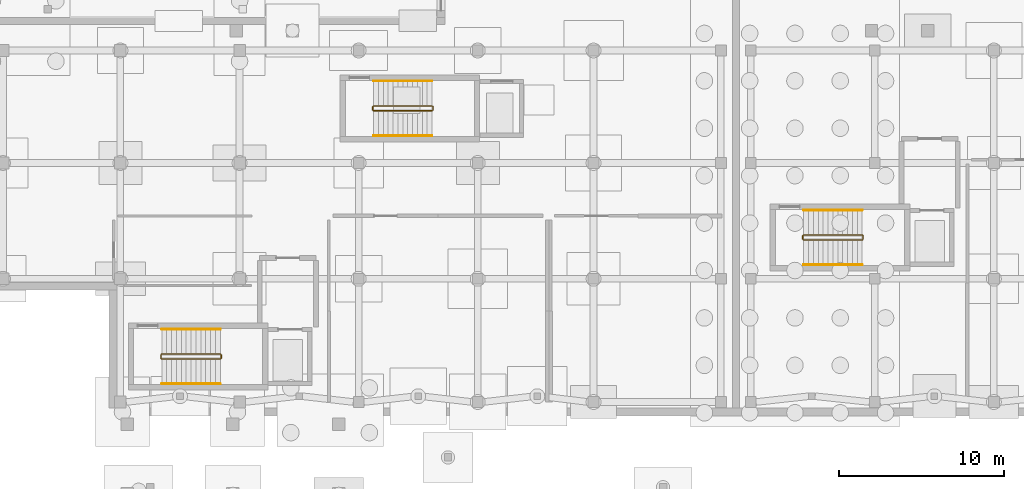
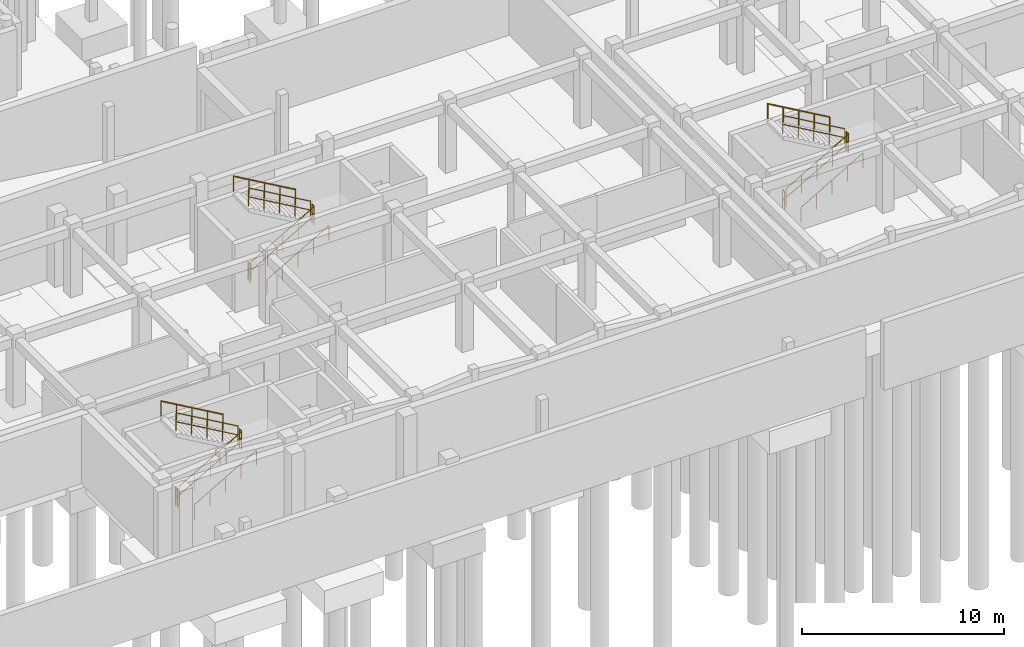
# One storey, part 20 of 22: 18 railings.
"""IFC4 building model written with IfcOpenShell, lengths in metres."""

import ifcopenshell
import ifcopenshell.guid

model = None  # the IFC model being written
_history = None  # IfcOwnerHistory: only IFC2X3 demands one
_inside = {}  # id of a spatial element -> (the spatial element, [elements in it])
_under = {}  # id of a project, library or spatial element -> (it, [spatial elements below it])
_declared = {}  # id of a project -> (the project, [libraries it declares])
_typed = {}  # id of a type object -> (the type object, [elements of that type])
_made_of = {}  # id of a material, layer set ... -> (it, [elements and type objects made of it])


def new_model(schema):
    """Start an empty IFC model of exactly this schema.

    Asked for "IFC4X3", IfcOpenShell would pick the latest addendum, in which some entities
    have other attributes; the version numbers below select the first issue.
    IFC2X3 requires an IfcOwnerHistory on every rooted entity: one is made here for all.
    """
    global model, _history
    if schema == "IFC4X3":
        model = ifcopenshell.file(schema_version=(4, 3, 0, 0))
    else:
        model = ifcopenshell.file(schema=schema)
    _inside.clear()
    _under.clear()
    _declared.clear()
    _typed.clear()
    _made_of.clear()
    _history = None
    if model.schema == "IFC2X3":
        org = make("IfcOrganization", Name="unknown")
        user = make(
            "IfcPersonAndOrganization",
            ThePerson=make("IfcPerson", FamilyName="unknown"),
            TheOrganization=org,
        )
        app = make(
            "IfcApplication",
            ApplicationDeveloper=org,
            Version="unknown",
            ApplicationFullName="unknown",
            ApplicationIdentifier="unknown",
        )
        _history = make(
            "IfcOwnerHistory",
            OwningUser=user,
            OwningApplication=app,
            ChangeAction="ADDED",
            CreationDate=0,
        )
    return model


def make(cls, **values):
    """One entity of the class cls with the attributes given. An attribute that is None is left unset."""
    return model.create_entity(
        cls, **{name: value for name, value in values.items() if value is not None}
    )


def rooted(cls, **values):
    """An entity with a GlobalId (a new one), such as an element, a storey or a relation."""
    return make(cls, GlobalId=ifcopenshell.guid.new(), OwnerHistory=_history, **values)


def si_unit(unit_type, name, prefix=None):
    """IfcSIUnit, for example si_unit("LENGTHUNIT", "METRE", prefix="MILLI")."""
    return make("IfcSIUnit", UnitType=unit_type, Prefix=prefix, Name=name)


def assignment(units):
    """IfcUnitAssignment: the units of a project."""
    return None if units is None else make("IfcUnitAssignment", Units=units)


def point(xyz):
    """IfcCartesianPoint."""
    return None if xyz is None else make("IfcCartesianPoint", Coordinates=xyz)


def direction(xyz):
    """IfcDirection."""
    return None if xyz is None else make("IfcDirection", DirectionRatios=xyz)


def frame(location, z_axis=None, x_axis=None):
    """IfcAxis2Placement3D, a coordinate frame: its origin and axes. An axis left out is left unset."""
    return make(
        "IfcAxis2Placement3D",
        Location=point(location),
        Axis=direction(z_axis),
        RefDirection=direction(x_axis),
    )


def frame_2d(location, x_axis=None):
    """IfcAxis2Placement2D, a coordinate frame in the plane: its origin and x axis."""
    return make(
        "IfcAxis2Placement2D", Location=point(location), RefDirection=direction(x_axis)
    )


def origin():
    """The frame at (0, 0, 0) with its axes left unset."""
    return frame((0.0, 0.0, 0.0))


def origin_2d():
    """The frame at (0, 0) in the plane with its x axis left unset."""
    return frame_2d((0.0, 0.0))


def place(relative_to, where):
    """IfcLocalPlacement: puts the frame where relative to a parent placement (None: the world)."""
    return make(
        "IfcLocalPlacement", PlacementRelTo=relative_to, RelativePlacement=where
    )


def context(
    kind, dimensions, precision=None, world=None, true_north=None, identifier=None
):
    """IfcGeometricRepresentationContext, for example the 3D "Model" context."""
    return make(
        "IfcGeometricRepresentationContext",
        ContextIdentifier=identifier,
        ContextType=kind,
        CoordinateSpaceDimension=dimensions,
        Precision=precision,
        WorldCoordinateSystem=world,
        TrueNorth=true_north,
    )


def subcontext(parent, identifier, kind, view, scale=None):
    """IfcGeometricRepresentationSubContext, for example "Body" below "Model"."""
    return make(
        "IfcGeometricRepresentationSubContext",
        ContextIdentifier=identifier,
        ContextType=kind,
        ParentContext=parent,
        TargetScale=scale,
        TargetView=view,
    )


def project(units=None, contexts=None):
    """IfcProject with its units and contexts."""
    return rooted(
        "IfcProject",
        Name="project",
        RepresentationContexts=contexts,
        UnitsInContext=assignment(units),
    )


def spatial(cls, under=None, at=None, **own):
    """A site, building, storey or space (cls), placed at a placement, below another one or the project."""
    s = rooted(cls, ObjectPlacement=at, **own)
    if under is not None:
        _under.setdefault(under.id(), (under, []))[1].append(s)
    return s


def profile(cls, at=None, kind="AREA", **sizes):
    """A parametric profile (cls). Its sizes go by their IFC names, for example OverallWidth=200.0."""
    return make(cls, ProfileType=kind, Position=at, **sizes)


def circle(**sizes):
    """IfcCircleProfileDef."""
    return profile("IfcCircleProfileDef", **sizes)


def extrude(swept, where, along, depth):
    """IfcExtrudedAreaSolid: the profile swept, set in the frame where, extruded along a direction by depth."""
    return make(
        "IfcExtrudedAreaSolid",
        SweptArea=swept,
        Position=where,
        ExtrudedDirection=direction(along),
        Depth=depth,
    )


def shape(context_of_items, identifier, shape_type, items):
    """IfcShapeRepresentation: the items that make up one representation, for example the "Body"."""
    return make(
        "IfcShapeRepresentation",
        ContextOfItems=context_of_items,
        RepresentationIdentifier=identifier,
        RepresentationType=shape_type,
        Items=items,
    )


def material(Name=None, Category=None):
    """IfcMaterial."""
    return make("IfcMaterial", Name=Name, Category=Category)


def made_of(thing, what):
    """Note that an element or type object is made of a material, layer set ...; save() writes the relation."""
    if what is not None:
        _made_of.setdefault(what.id(), (what, []))[1].append(thing)
    return thing


def type_object(cls, material=None, **own):
    """A type object (cls), such as IfcWallType, which elements share."""
    return made_of(rooted(cls, **own), material)


def element(
    cls,
    number,
    at=None,
    inside=None,
    cuts=None,
    type_object=None,
    material=None,
    context=None,
    identifier="Body",
    shape_type=None,
    held_by="IfcProductDefinitionShape",
    body=None,
    shapes=None,
    **own,
):
    """One element of the class cls, such as IfcWall. Its Tag is "e" and its number.

    at: its placement. inside: the storey or other place that contains it. cuts: it is an
    opening in that element (IfcRelVoidsElement). A single representation is given by context,
    identifier, shape_type and body (its items); several are given by shapes. held_by: the class
    of the entity that holds the representations. save() writes the other relations.
    """
    e = rooted(cls, Tag="e%d" % number, ObjectPlacement=at, **own)
    if body is not None:
        shapes = [shape(context, identifier, shape_type, body)]
    if shapes is not None:
        e.Representation = make(held_by, Representations=shapes)
    if inside is not None:
        _inside.setdefault(inside.id(), (inside, []))[1].append(e)
    if cuts is not None:
        rooted(
            "IfcRelVoidsElement", RelatingBuildingElement=cuts, RelatedOpeningElement=e
        )
    if type_object is not None:
        _typed.setdefault(type_object.id(), (type_object, []))[1].append(e)
    return made_of(e, material)


def aggregate(whole, parts):
    """IfcRelAggregates: a whole, such as a stair, and the parts it consists of."""
    return rooted("IfcRelAggregates", RelatingObject=whole, RelatedObjects=parts)


def save(model, path):
    """Write the relations noted so far, then the file.

    IfcRelAggregates (storeys below a building ...), IfcRelContainedInSpatialStructure (elements
    in a storey), IfcRelDefinesByType, IfcRelAssociatesMaterial and IfcRelDeclares: one each for
    every whole, place, type object, material and project.
    """
    for whole, parts in _under.values():
        aggregate(whole, parts)
    for where, things in _inside.values():
        rooted(
            "IfcRelContainedInSpatialStructure",
            RelatedElements=things,
            RelatingStructure=where,
        )
    for kind, things in _typed.values():
        rooted("IfcRelDefinesByType", RelatedObjects=things, RelatingType=kind)
    for what, things in _made_of.values():
        rooted("IfcRelAssociatesMaterial", RelatedObjects=things, RelatingMaterial=what)
    for by, libraries in _declared.values():
        rooted("IfcRelDeclares", RelatingContext=by, RelatedDefinitions=libraries)
    model.write(path)


model = new_model("IFC4")

# Units and contexts
model_context = context("Model", 3, precision=1e-05, world=origin(), true_north=direction((0.0, 1.0)))
body_context = subcontext(model_context, "Body", "Model", "MODEL_VIEW")
ifc_project = project(units=[si_unit("LENGTHUNIT", "METRE"), si_unit("AREAUNIT", "SQUARE_METRE"), si_unit("VOLUMEUNIT", "CUBIC_METRE"), si_unit("PLANEANGLEUNIT", "RADIAN"), si_unit("MASSUNIT", "GRAM", prefix="KILO")], contexts=[model_context])

# Site, building, storey
site_placement = place(None, origin())
site = spatial("IfcSite", under=ifc_project, at=site_placement, CompositionType="ELEMENT")
building_placement = place(site_placement, origin())
building = spatial("IfcBuilding", under=site, at=building_placement, Name="Valcora Specialist Clinic", CompositionType="ELEMENT")
storey_placement = place(building_placement, frame((0.0, 0.0, -4.419921875)))
storey = spatial("IfcBuildingStorey", under=building, at=storey_placement, Name="B1", CompositionType="ELEMENT", Elevation=-4.419921875)

# Railings
ifc_material = material(Name="Stainless Steel AISI 316", Category="steel")
railing_type_1 = type_object("IfcRailingType", Name="TY-RL-GRD112", PredefinedType="GUARDRAIL", material=ifc_material)
railing_1_placement = place(storey_placement, frame((18.699951171875, 3.35009765625, 0.169921875)))
element("IfcRailing", 1, at=railing_1_placement, inside=storey, type_object=railing_type_1, Name="B1 ST-V5A stair guard 1", PredefinedType="GUARDRAIL", context=body_context, shape_type="SweptSolid", body=[
    extrude(circle(Radius=0.02392578125, at=origin_2d()), frame((0.0, 0.0, 1.09619140625), z_axis=(0.866428212428, 0.0, 0.499301665038), x_axis=(0.0, 1.0, 0.0)), (0.0, 0.0, 1.0), 4.085693359375),
    extrude(circle(Radius=0.02392578125, at=origin_2d()), frame((0.0, 0.0, 0.56005859375), z_axis=(0.866428212428, 0.0, 0.499301665038), x_axis=(0.0, 1.0, 0.0)), (0.0, 0.0, 1.0), 4.085693359375),
    extrude(circle(Radius=0.02099609375, at=origin_2d()), origin(), (0.0, 0.0, 1.0), 1.072021484375),
    extrude(circle(Radius=0.02099609375, at=origin_2d()), frame((0.885009765625, 0.0, 0.510009765625)), (0.0, 0.0, 1.0), 1.072021484375),
    extrude(circle(Radius=0.02099609375, at=origin_2d()), frame((1.77001953125, 0.0, 1.02001953125)), (0.0, 0.0, 1.0), 1.072021484375),
    extrude(circle(Radius=0.02099609375, at=origin_2d()), frame((2.655029296875, 0.0, 1.530029296875)), (0.0, 0.0, 1.0), 1.072021484375),
    extrude(circle(Radius=0.02099609375, at=origin_2d()), frame((3.5400390625, 0.0, 2.0400390625)), (0.0, 0.0, 1.0), 1.072021484375),
])
railing_2_placement = place(storey_placement, frame((22.2900390625, 3.39990234375, 2.2099609375)))
element("IfcRailing", 2, at=railing_2_placement, inside=storey, type_object=railing_type_1, Name="B1 ST-V5A stair guard 2", PredefinedType="GUARDRAIL", context=body_context, shape_type="SweptSolid", body=[
    extrude(circle(Radius=0.02392578125, at=origin_2d()), frame((0.0, 0.0, 1.09619140625), z_axis=(0.0, 1.0, 0.0), x_axis=(-1.0, 0.0, 0.0)), (0.0, 0.0, 1.0), 0.2001953125),
    extrude(circle(Radius=0.02392578125, at=origin_2d()), frame((0.0, 0.0, 0.56005859375), z_axis=(0.0, 1.0, 0.0), x_axis=(-1.0, 0.0, 0.0)), (0.0, 0.0, 1.0), 0.2001953125),
    extrude(circle(Radius=0.02099609375, at=origin_2d()), origin(), (0.0, 0.0, 1.0), 1.072021484375),
    extrude(circle(Radius=0.02099609375, at=origin_2d()), frame((0.0, 0.2001953125, 0.0)), (0.0, 0.0, 1.0), 1.072021484375),
])
railing_3_placement = place(storey_placement, frame((22.239990234375, 3.64990234375, 2.3798828125)))
element("IfcRailing", 3, at=railing_3_placement, inside=storey, type_object=railing_type_1, Name="B1 ST-V5A stair guard 3", PredefinedType="GUARDRAIL", context=body_context, shape_type="SweptSolid", body=[
    extrude(circle(Radius=0.02392578125, at=origin_2d()), frame((0.0, 0.0, 1.09619140625), z_axis=(-0.866428212428, 0.0, 0.499301665038), x_axis=(0.0, -1.0, 0.0)), (0.0, 0.0, 1.0), 4.085693359375),
    extrude(circle(Radius=0.02392578125, at=origin_2d()), frame((0.0, 0.0, 0.56005859375), z_axis=(-0.866428212428, 0.0, 0.499301665038), x_axis=(0.0, -1.0, 0.0)), (0.0, 0.0, 1.0), 4.085693359375),
    extrude(circle(Radius=0.02099609375, at=origin_2d()), origin(), (0.0, 0.0, 1.0), 1.072021484375),
    extrude(circle(Radius=0.02099609375, at=origin_2d()), frame((-0.885009765625, 0.0, 0.510009765625)), (0.0, 0.0, 1.0), 1.072021484375),
    extrude(circle(Radius=0.02099609375, at=origin_2d()), frame((-1.77001953125, 0.0, 1.02001953125)), (0.0, 0.0, 1.0), 1.072021484375),
    extrude(circle(Radius=0.02099609375, at=origin_2d()), frame((-2.655029296875, 0.0, 1.530029296875)), (0.0, 0.0, 1.0), 1.072021484375),
    extrude(circle(Radius=0.02099609375, at=origin_2d()), frame((-3.5400390625, 0.0, 2.0400390625)), (0.0, 0.0, 1.0), 1.072021484375),
])
railing_4_placement = place(storey_placement, frame((18.64990234375, 3.39990234375, 0.0)))
element("IfcRailing", 4, at=railing_4_placement, inside=storey, type_object=railing_type_1, Name="B1 ST-V5A stair guard 4", PredefinedType="GUARDRAIL", context=body_context, shape_type="SweptSolid", body=[
    extrude(circle(Radius=0.02392578125, at=origin_2d()), frame((0.0, 0.0, 1.09619140625), z_axis=(0.0, 1.0, 0.0), x_axis=(-1.0, 0.0, 0.0)), (0.0, 0.0, 1.0), 0.2001953125),
    extrude(circle(Radius=0.02392578125, at=origin_2d()), frame((0.0, 0.0, 0.56005859375), z_axis=(0.0, 1.0, 0.0), x_axis=(-1.0, 0.0, 0.0)), (0.0, 0.0, 1.0), 0.2001953125),
    extrude(circle(Radius=0.02099609375, at=origin_2d()), origin(), (0.0, 0.0, 1.0), 1.072021484375),
    extrude(circle(Radius=0.02099609375, at=origin_2d()), frame((0.0, 0.2001953125, 0.0)), (0.0, 0.0, 1.0), 1.072021484375),
])
railing_5_placement = place(storey_placement, frame((31.5, 18.35009765625, 0.169921875)))
element("IfcRailing", 5, at=railing_5_placement, inside=storey, type_object=railing_type_1, Name="B1 ST-V5B stair guard 1", PredefinedType="GUARDRAIL", context=body_context, shape_type="SweptSolid", body=[
    extrude(circle(Radius=0.02392578125, at=origin_2d()), frame((0.0, 0.0, 1.09619140625), z_axis=(0.866428212428, 0.0, 0.499301665038), x_axis=(0.0, 1.0, 0.0)), (0.0, 0.0, 1.0), 4.085693359375),
    extrude(circle(Radius=0.02392578125, at=origin_2d()), frame((0.0, 0.0, 0.56005859375), z_axis=(0.866428212428, 0.0, 0.499301665038), x_axis=(0.0, 1.0, 0.0)), (0.0, 0.0, 1.0), 4.085693359375),
    extrude(circle(Radius=0.02099609375, at=origin_2d()), origin(), (0.0, 0.0, 1.0), 1.072021484375),
    extrude(circle(Radius=0.02099609375, at=origin_2d()), frame((0.885009765625, 0.0, 0.510009765625)), (0.0, 0.0, 1.0), 1.072021484375),
    extrude(circle(Radius=0.02099609375, at=origin_2d()), frame((1.77001953125, 0.0, 1.02001953125)), (0.0, 0.0, 1.0), 1.072021484375),
    extrude(circle(Radius=0.02099609375, at=origin_2d()), frame((2.655029296875, 0.0, 1.530029296875)), (0.0, 0.0, 1.0), 1.072021484375),
    extrude(circle(Radius=0.02099609375, at=origin_2d()), frame((3.5400390625, 0.0, 2.0400390625)), (0.0, 0.0, 1.0), 1.072021484375),
])
railing_6_placement = place(storey_placement, frame((35.090087890625, 18.39990234375, 2.2099609375)))
element("IfcRailing", 6, at=railing_6_placement, inside=storey, type_object=railing_type_1, Name="B1 ST-V5B stair guard 2", PredefinedType="GUARDRAIL", context=body_context, shape_type="SweptSolid", body=[
    extrude(circle(Radius=0.02392578125, at=origin_2d()), frame((0.0, 0.0, 1.09619140625), z_axis=(0.0, 1.0, 0.0), x_axis=(-1.0, 0.0, 0.0)), (0.0, 0.0, 1.0), 0.2001953125),
    extrude(circle(Radius=0.02392578125, at=origin_2d()), frame((0.0, 0.0, 0.56005859375), z_axis=(0.0, 1.0, 0.0), x_axis=(-1.0, 0.0, 0.0)), (0.0, 0.0, 1.0), 0.2001953125),
    extrude(circle(Radius=0.02099609375, at=origin_2d()), origin(), (0.0, 0.0, 1.0), 1.072021484375),
    extrude(circle(Radius=0.02099609375, at=origin_2d()), frame((0.0, 0.2001953125, 0.0)), (0.0, 0.0, 1.0), 1.072021484375),
])
railing_7_placement = place(storey_placement, frame((35.0400390625, 18.64990234375, 2.3798828125)))
element("IfcRailing", 7, at=railing_7_placement, inside=storey, type_object=railing_type_1, Name="B1 ST-V5B stair guard 3", PredefinedType="GUARDRAIL", context=body_context, shape_type="SweptSolid", body=[
    extrude(circle(Radius=0.02392578125, at=origin_2d()), frame((0.0, 0.0, 1.09619140625), z_axis=(-0.866428212428, 0.0, 0.499301665038), x_axis=(0.0, -1.0, 0.0)), (0.0, 0.0, 1.0), 4.085693359375),
    extrude(circle(Radius=0.02392578125, at=origin_2d()), frame((0.0, 0.0, 0.56005859375), z_axis=(-0.866428212428, 0.0, 0.499301665038), x_axis=(0.0, -1.0, 0.0)), (0.0, 0.0, 1.0), 4.085693359375),
    extrude(circle(Radius=0.02099609375, at=origin_2d()), origin(), (0.0, 0.0, 1.0), 1.072021484375),
    extrude(circle(Radius=0.02099609375, at=origin_2d()), frame((-0.885009765625, 0.0, 0.510009765625)), (0.0, 0.0, 1.0), 1.072021484375),
    extrude(circle(Radius=0.02099609375, at=origin_2d()), frame((-1.77001953125, 0.0, 1.02001953125)), (0.0, 0.0, 1.0), 1.072021484375),
    extrude(circle(Radius=0.02099609375, at=origin_2d()), frame((-2.655029296875, 0.0, 1.530029296875)), (0.0, 0.0, 1.0), 1.072021484375),
    extrude(circle(Radius=0.02099609375, at=origin_2d()), frame((-3.5400390625, 0.0, 2.0400390625)), (0.0, 0.0, 1.0), 1.072021484375),
])
railing_8_placement = place(storey_placement, frame((31.449951171875, 18.39990234375, 0.0)))
element("IfcRailing", 8, at=railing_8_placement, inside=storey, type_object=railing_type_1, Name="B1 ST-V5B stair guard 4", PredefinedType="GUARDRAIL", context=body_context, shape_type="SweptSolid", body=[
    extrude(circle(Radius=0.02392578125, at=origin_2d()), frame((0.0, 0.0, 1.09619140625), z_axis=(0.0, 1.0, 0.0), x_axis=(-1.0, 0.0, 0.0)), (0.0, 0.0, 1.0), 0.2001953125),
    extrude(circle(Radius=0.02392578125, at=origin_2d()), frame((0.0, 0.0, 0.56005859375), z_axis=(0.0, 1.0, 0.0), x_axis=(-1.0, 0.0, 0.0)), (0.0, 0.0, 1.0), 0.2001953125),
    extrude(circle(Radius=0.02099609375, at=origin_2d()), origin(), (0.0, 0.0, 1.0), 1.072021484375),
    extrude(circle(Radius=0.02099609375, at=origin_2d()), frame((0.0, 0.2001953125, 0.0)), (0.0, 0.0, 1.0), 1.072021484375),
])
railing_9_placement = place(storey_placement, frame((57.5, 10.550048828125, 0.169921875)))
element("IfcRailing", 9, at=railing_9_placement, inside=storey, type_object=railing_type_1, Name="B1 ST-V6A stair guard 1", PredefinedType="GUARDRAIL", context=body_context, shape_type="SweptSolid", body=[
    extrude(circle(Radius=0.02392578125, at=origin_2d()), frame((0.0, 0.0, 1.09619140625), z_axis=(0.866428212428, 0.0, 0.499301665038), x_axis=(0.0, 1.0, 0.0)), (0.0, 0.0, 1.0), 4.085693359375),
    extrude(circle(Radius=0.02392578125, at=origin_2d()), frame((0.0, 0.0, 0.56005859375), z_axis=(0.866428212428, 0.0, 0.499301665038), x_axis=(0.0, 1.0, 0.0)), (0.0, 0.0, 1.0), 4.085693359375),
    extrude(circle(Radius=0.02099609375, at=origin_2d()), origin(), (0.0, 0.0, 1.0), 1.072021484375),
    extrude(circle(Radius=0.02099609375, at=origin_2d()), frame((0.885009765625, 0.0, 0.510009765625)), (0.0, 0.0, 1.0), 1.072021484375),
    extrude(circle(Radius=0.02099609375, at=origin_2d()), frame((1.77001953125, 0.0, 1.02001953125)), (0.0, 0.0, 1.0), 1.072021484375),
    extrude(circle(Radius=0.02099609375, at=origin_2d()), frame((2.655029296875, 0.0, 1.530029296875)), (0.0, 0.0, 1.0), 1.072021484375),
    extrude(circle(Radius=0.02099609375, at=origin_2d()), frame((3.5400390625, 0.0, 2.0400390625)), (0.0, 0.0, 1.0), 1.072021484375),
])
railing_10_placement = place(storey_placement, frame((61.090087890625, 10.60009765625, 2.2099609375)))
element("IfcRailing", 10, at=railing_10_placement, inside=storey, type_object=railing_type_1, Name="B1 ST-V6A stair guard 2", PredefinedType="GUARDRAIL", context=body_context, shape_type="SweptSolid", body=[
    extrude(circle(Radius=0.02392578125, at=origin_2d()), frame((0.0, 0.0, 1.09619140625), z_axis=(0.0, 1.0, 0.0), x_axis=(-1.0, 0.0, 0.0)), (0.0, 0.0, 1.0), 0.199951171875),
    extrude(circle(Radius=0.02392578125, at=origin_2d()), frame((0.0, 0.0, 0.56005859375), z_axis=(0.0, 1.0, 0.0), x_axis=(-1.0, 0.0, 0.0)), (0.0, 0.0, 1.0), 0.199951171875),
    extrude(circle(Radius=0.02099609375, at=origin_2d()), origin(), (0.0, 0.0, 1.0), 1.072021484375),
    extrude(circle(Radius=0.02099609375, at=origin_2d()), frame((0.0, 0.199951171875, 0.0)), (0.0, 0.0, 1.0), 1.072021484375),
])
railing_11_placement = place(storey_placement, frame((61.0400390625, 10.85009765625, 2.3798828125)))
element("IfcRailing", 11, at=railing_11_placement, inside=storey, type_object=railing_type_1, Name="B1 ST-V6A stair guard 3", PredefinedType="GUARDRAIL", context=body_context, shape_type="SweptSolid", body=[
    extrude(circle(Radius=0.02392578125, at=origin_2d()), frame((0.0, 0.0, 1.09619140625), z_axis=(-0.866428212428, 0.0, 0.499301665038), x_axis=(0.0, -1.0, 0.0)), (0.0, 0.0, 1.0), 4.085693359375),
    extrude(circle(Radius=0.02392578125, at=origin_2d()), frame((0.0, 0.0, 0.56005859375), z_axis=(-0.866428212428, 0.0, 0.499301665038), x_axis=(0.0, -1.0, 0.0)), (0.0, 0.0, 1.0), 4.085693359375),
    extrude(circle(Radius=0.02099609375, at=origin_2d()), origin(), (0.0, 0.0, 1.0), 1.072021484375),
    extrude(circle(Radius=0.02099609375, at=origin_2d()), frame((-0.885009765625, 0.0, 0.510009765625)), (0.0, 0.0, 1.0), 1.072021484375),
    extrude(circle(Radius=0.02099609375, at=origin_2d()), frame((-1.77001953125, 0.0, 1.02001953125)), (0.0, 0.0, 1.0), 1.072021484375),
    extrude(circle(Radius=0.02099609375, at=origin_2d()), frame((-2.655029296875, 0.0, 1.530029296875)), (0.0, 0.0, 1.0), 1.072021484375),
    extrude(circle(Radius=0.02099609375, at=origin_2d()), frame((-3.5400390625, 0.0, 2.0400390625)), (0.0, 0.0, 1.0), 1.072021484375),
])
railing_12_placement = place(storey_placement, frame((57.449951171875, 10.60009765625, 0.0)))
element("IfcRailing", 12, at=railing_12_placement, inside=storey, type_object=railing_type_1, Name="B1 ST-V6A stair guard 4", PredefinedType="GUARDRAIL", context=body_context, shape_type="SweptSolid", body=[
    extrude(circle(Radius=0.02392578125, at=origin_2d()), frame((0.0, 0.0, 1.09619140625), z_axis=(0.0, 1.0, 0.0), x_axis=(-1.0, 0.0, 0.0)), (0.0, 0.0, 1.0), 0.199951171875),
    extrude(circle(Radius=0.02392578125, at=origin_2d()), frame((0.0, 0.0, 0.56005859375), z_axis=(0.0, 1.0, 0.0), x_axis=(-1.0, 0.0, 0.0)), (0.0, 0.0, 1.0), 0.199951171875),
    extrude(circle(Radius=0.02099609375, at=origin_2d()), origin(), (0.0, 0.0, 1.0), 1.072021484375),
    extrude(circle(Radius=0.02099609375, at=origin_2d()), frame((0.0, 0.199951171875, 0.0)), (0.0, 0.0, 1.0), 1.072021484375),
])
railing_type_2 = type_object("IfcRailingType", Name="TY-RL-HND092", PredefinedType="HANDRAIL", material=ifc_material)
railing_13_placement = place(storey_placement, frame((18.699951171875, 1.85009765625, 0.169921875)))
element("IfcRailing", 13, at=railing_13_placement, inside=storey, type_object=railing_type_2, Name="B1 ST-V5A stair handrail 1", PredefinedType="HANDRAIL", context=body_context, shape_type="SweptSolid", body=[
    extrude(circle(Radius=0.02392578125, at=origin_2d()), frame((0.0, 0.0, 0.89599609375), z_axis=(0.866428212428, 0.0, 0.499301665038), x_axis=(0.0, 1.0, 0.0)), (0.0, 0.0, 1.0), 4.085693359375),
    extrude(circle(Radius=0.02099609375, at=origin_2d()), origin(), (0.0, 0.0, 1.0), 0.871826171875),
    extrude(circle(Radius=0.02099609375, at=origin_2d()), frame((0.885009765625, 0.0, 0.510009765625)), (0.0, 0.0, 1.0), 0.871826171875),
    extrude(circle(Radius=0.02099609375, at=origin_2d()), frame((1.77001953125, 0.0, 1.02001953125)), (0.0, 0.0, 1.0), 0.871826171875),
    extrude(circle(Radius=0.02099609375, at=origin_2d()), frame((2.655029296875, 0.0, 1.530029296875)), (0.0, 0.0, 1.0), 0.871826171875),
    extrude(circle(Radius=0.02099609375, at=origin_2d()), frame((3.5400390625, 0.0, 2.0400390625)), (0.0, 0.0, 1.0), 0.871826171875),
])
railing_14_placement = place(storey_placement, frame((22.239990234375, 5.14990234375, 2.3798828125)))
element("IfcRailing", 14, at=railing_14_placement, inside=storey, type_object=railing_type_2, Name="B1 ST-V5A stair handrail 2", PredefinedType="HANDRAIL", context=body_context, shape_type="SweptSolid", body=[
    extrude(circle(Radius=0.02392578125, at=origin_2d()), frame((0.0, 0.0, 0.89599609375), z_axis=(-0.866428212428, 0.0, 0.499301665038), x_axis=(0.0, -1.0, 0.0)), (0.0, 0.0, 1.0), 4.085693359375),
    extrude(circle(Radius=0.02099609375, at=origin_2d()), origin(), (0.0, 0.0, 1.0), 0.871826171875),
    extrude(circle(Radius=0.02099609375, at=origin_2d()), frame((-0.885009765625, 0.0, 0.510009765625)), (0.0, 0.0, 1.0), 0.871826171875),
    extrude(circle(Radius=0.02099609375, at=origin_2d()), frame((-1.77001953125, 0.0, 1.02001953125)), (0.0, 0.0, 1.0), 0.871826171875),
    extrude(circle(Radius=0.02099609375, at=origin_2d()), frame((-2.655029296875, 0.0, 1.530029296875)), (0.0, 0.0, 1.0), 0.871826171875),
    extrude(circle(Radius=0.02099609375, at=origin_2d()), frame((-3.5400390625, 0.0, 2.0400390625)), (0.0, 0.0, 1.0), 0.871826171875),
])
railing_15_placement = place(storey_placement, frame((31.5, 16.85009765625, 0.169921875)))
element("IfcRailing", 15, at=railing_15_placement, inside=storey, type_object=railing_type_2, Name="B1 ST-V5B stair handrail 1", PredefinedType="HANDRAIL", context=body_context, shape_type="SweptSolid", body=[
    extrude(circle(Radius=0.02392578125, at=origin_2d()), frame((0.0, 0.0, 0.89599609375), z_axis=(0.866428212428, 0.0, 0.499301665038), x_axis=(0.0, 1.0, 0.0)), (0.0, 0.0, 1.0), 4.085693359375),
    extrude(circle(Radius=0.02099609375, at=origin_2d()), origin(), (0.0, 0.0, 1.0), 0.871826171875),
    extrude(circle(Radius=0.02099609375, at=origin_2d()), frame((0.885009765625, 0.0, 0.510009765625)), (0.0, 0.0, 1.0), 0.871826171875),
    extrude(circle(Radius=0.02099609375, at=origin_2d()), frame((1.77001953125, 0.0, 1.02001953125)), (0.0, 0.0, 1.0), 0.871826171875),
    extrude(circle(Radius=0.02099609375, at=origin_2d()), frame((2.655029296875, 0.0, 1.530029296875)), (0.0, 0.0, 1.0), 0.871826171875),
    extrude(circle(Radius=0.02099609375, at=origin_2d()), frame((3.5400390625, 0.0, 2.0400390625)), (0.0, 0.0, 1.0), 0.871826171875),
])
railing_16_placement = place(storey_placement, frame((35.0400390625, 20.14990234375, 2.3798828125)))
element("IfcRailing", 16, at=railing_16_placement, inside=storey, type_object=railing_type_2, Name="B1 ST-V5B stair handrail 2", PredefinedType="HANDRAIL", context=body_context, shape_type="SweptSolid", body=[
    extrude(circle(Radius=0.02392578125, at=origin_2d()), frame((0.0, 0.0, 0.89599609375), z_axis=(-0.866428212428, 0.0, 0.499301665038), x_axis=(0.0, -1.0, 0.0)), (0.0, 0.0, 1.0), 4.085693359375),
    extrude(circle(Radius=0.02099609375, at=origin_2d()), origin(), (0.0, 0.0, 1.0), 0.871826171875),
    extrude(circle(Radius=0.02099609375, at=origin_2d()), frame((-0.885009765625, 0.0, 0.510009765625)), (0.0, 0.0, 1.0), 0.871826171875),
    extrude(circle(Radius=0.02099609375, at=origin_2d()), frame((-1.77001953125, 0.0, 1.02001953125)), (0.0, 0.0, 1.0), 0.871826171875),
    extrude(circle(Radius=0.02099609375, at=origin_2d()), frame((-2.655029296875, 0.0, 1.530029296875)), (0.0, 0.0, 1.0), 0.871826171875),
    extrude(circle(Radius=0.02099609375, at=origin_2d()), frame((-3.5400390625, 0.0, 2.0400390625)), (0.0, 0.0, 1.0), 0.871826171875),
])
railing_17_placement = place(storey_placement, frame((57.5, 9.050048828125, 0.169921875)))
element("IfcRailing", 17, at=railing_17_placement, inside=storey, type_object=railing_type_2, Name="B1 ST-V6A stair handrail 1", PredefinedType="HANDRAIL", context=body_context, shape_type="SweptSolid", body=[
    extrude(circle(Radius=0.02392578125, at=origin_2d()), frame((0.0, 0.0, 0.89599609375), z_axis=(0.866428212428, 0.0, 0.499301665038), x_axis=(0.0, 1.0, 0.0)), (0.0, 0.0, 1.0), 4.085693359375),
    extrude(circle(Radius=0.02099609375, at=origin_2d()), origin(), (0.0, 0.0, 1.0), 0.871826171875),
    extrude(circle(Radius=0.02099609375, at=origin_2d()), frame((0.885009765625, 0.0, 0.510009765625)), (0.0, 0.0, 1.0), 0.871826171875),
    extrude(circle(Radius=0.02099609375, at=origin_2d()), frame((1.77001953125, 0.0, 1.02001953125)), (0.0, 0.0, 1.0), 0.871826171875),
    extrude(circle(Radius=0.02099609375, at=origin_2d()), frame((2.655029296875, 0.0, 1.530029296875)), (0.0, 0.0, 1.0), 0.871826171875),
    extrude(circle(Radius=0.02099609375, at=origin_2d()), frame((3.5400390625, 0.0, 2.0400390625)), (0.0, 0.0, 1.0), 0.871826171875),
])
railing_18_placement = place(storey_placement, frame((61.0400390625, 12.35009765625, 2.3798828125)))
element("IfcRailing", 18, at=railing_18_placement, inside=storey, type_object=railing_type_2, Name="B1 ST-V6A stair handrail 2", PredefinedType="HANDRAIL", context=body_context, shape_type="SweptSolid", body=[
    extrude(circle(Radius=0.02392578125, at=origin_2d()), frame((0.0, 0.0, 0.89599609375), z_axis=(-0.866428212428, 0.0, 0.499301665038), x_axis=(0.0, -1.0, 0.0)), (0.0, 0.0, 1.0), 4.085693359375),
    extrude(circle(Radius=0.02099609375, at=origin_2d()), origin(), (0.0, 0.0, 1.0), 0.871826171875),
    extrude(circle(Radius=0.02099609375, at=origin_2d()), frame((-0.885009765625, 0.0, 0.510009765625)), (0.0, 0.0, 1.0), 0.871826171875),
    extrude(circle(Radius=0.02099609375, at=origin_2d()), frame((-1.77001953125, 0.0, 1.02001953125)), (0.0, 0.0, 1.0), 0.871826171875),
    extrude(circle(Radius=0.02099609375, at=origin_2d()), frame((-2.655029296875, 0.0, 1.530029296875)), (0.0, 0.0, 1.0), 0.871826171875),
    extrude(circle(Radius=0.02099609375, at=origin_2d()), frame((-3.5400390625, 0.0, 2.0400390625)), (0.0, 0.0, 1.0), 0.871826171875),
])

save(model, "model.ifc")
